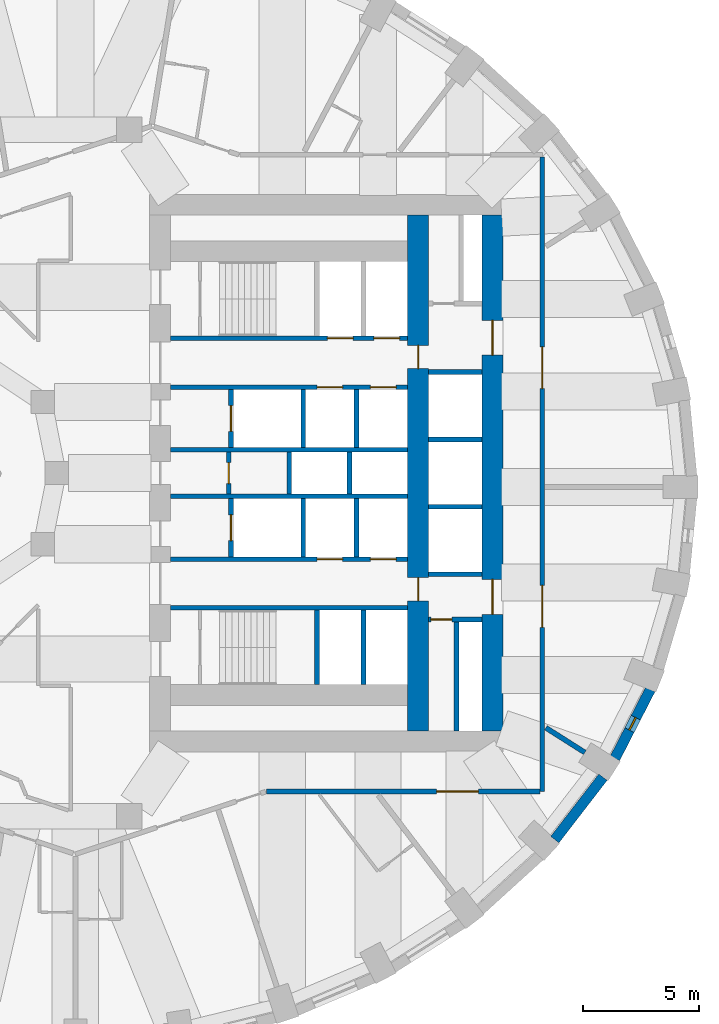
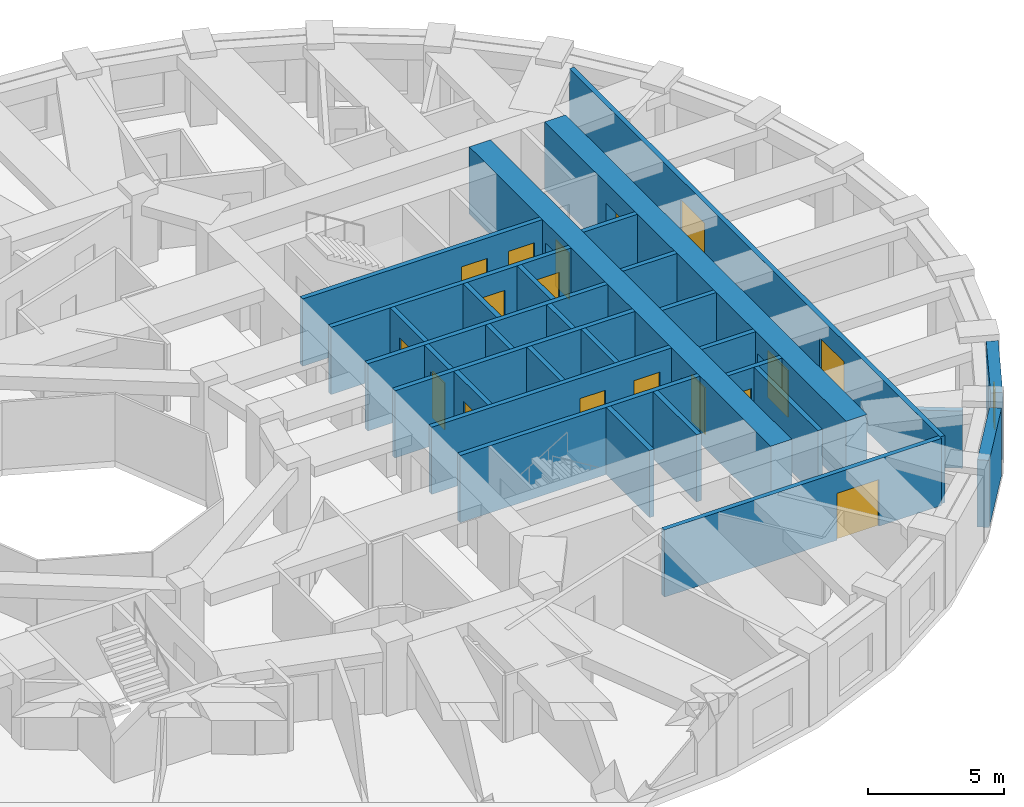
# One storey, part 6 of 12: 30 walls, 17 doors, 1 window, 18 openings.
"""IFC4 building model written with IfcOpenShell, lengths in metres."""

import ifcopenshell
import ifcopenshell.guid

model = None  # the IFC model being written
_history = None  # IfcOwnerHistory: only IFC2X3 demands one
_inside = {}  # id of a spatial element -> (the spatial element, [elements in it])
_under = {}  # id of a project, library or spatial element -> (it, [spatial elements below it])
_declared = {}  # id of a project -> (the project, [libraries it declares])
_typed = {}  # id of a type object -> (the type object, [elements of that type])
_made_of = {}  # id of a material, layer set ... -> (it, [elements and type objects made of it])


def new_model(schema):
    """Start an empty IFC model of exactly this schema.

    Asked for "IFC4X3", IfcOpenShell would pick the latest addendum, in which some entities
    have other attributes; the version numbers below select the first issue.
    IFC2X3 requires an IfcOwnerHistory on every rooted entity: one is made here for all.
    """
    global model, _history
    if schema == "IFC4X3":
        model = ifcopenshell.file(schema_version=(4, 3, 0, 0))
    else:
        model = ifcopenshell.file(schema=schema)
    _inside.clear()
    _under.clear()
    _declared.clear()
    _typed.clear()
    _made_of.clear()
    _history = None
    if model.schema == "IFC2X3":
        org = make("IfcOrganization", Name="unknown")
        user = make(
            "IfcPersonAndOrganization",
            ThePerson=make("IfcPerson", FamilyName="unknown"),
            TheOrganization=org,
        )
        app = make(
            "IfcApplication",
            ApplicationDeveloper=org,
            Version="unknown",
            ApplicationFullName="unknown",
            ApplicationIdentifier="unknown",
        )
        _history = make(
            "IfcOwnerHistory",
            OwningUser=user,
            OwningApplication=app,
            ChangeAction="ADDED",
            CreationDate=0,
        )
    return model


def make(cls, **values):
    """One entity of the class cls with the attributes given. An attribute that is None is left unset."""
    return model.create_entity(
        cls, **{name: value for name, value in values.items() if value is not None}
    )


def rooted(cls, **values):
    """An entity with a GlobalId (a new one), such as an element, a storey or a relation."""
    return make(cls, GlobalId=ifcopenshell.guid.new(), OwnerHistory=_history, **values)


def si_unit(unit_type, name, prefix=None):
    """IfcSIUnit, for example si_unit("LENGTHUNIT", "METRE", prefix="MILLI")."""
    return make("IfcSIUnit", UnitType=unit_type, Prefix=prefix, Name=name)


def assignment(units):
    """IfcUnitAssignment: the units of a project."""
    return None if units is None else make("IfcUnitAssignment", Units=units)


def point(xyz):
    """IfcCartesianPoint."""
    return None if xyz is None else make("IfcCartesianPoint", Coordinates=xyz)


def direction(xyz):
    """IfcDirection."""
    return None if xyz is None else make("IfcDirection", DirectionRatios=xyz)


def frame(location, z_axis=None, x_axis=None):
    """IfcAxis2Placement3D, a coordinate frame: its origin and axes. An axis left out is left unset."""
    return make(
        "IfcAxis2Placement3D",
        Location=point(location),
        Axis=direction(z_axis),
        RefDirection=direction(x_axis),
    )


def frame_2d(location, x_axis=None):
    """IfcAxis2Placement2D, a coordinate frame in the plane: its origin and x axis."""
    return make(
        "IfcAxis2Placement2D", Location=point(location), RefDirection=direction(x_axis)
    )


def origin():
    """The frame at (0, 0, 0) with its axes left unset."""
    return frame((0.0, 0.0, 0.0))


def place(relative_to, where):
    """IfcLocalPlacement: puts the frame where relative to a parent placement (None: the world)."""
    return make(
        "IfcLocalPlacement", PlacementRelTo=relative_to, RelativePlacement=where
    )


def context(
    kind, dimensions, precision=None, world=None, true_north=None, identifier=None
):
    """IfcGeometricRepresentationContext, for example the 3D "Model" context."""
    return make(
        "IfcGeometricRepresentationContext",
        ContextIdentifier=identifier,
        ContextType=kind,
        CoordinateSpaceDimension=dimensions,
        Precision=precision,
        WorldCoordinateSystem=world,
        TrueNorth=true_north,
    )


def subcontext(parent, identifier, kind, view, scale=None):
    """IfcGeometricRepresentationSubContext, for example "Body" below "Model"."""
    return make(
        "IfcGeometricRepresentationSubContext",
        ContextIdentifier=identifier,
        ContextType=kind,
        ParentContext=parent,
        TargetScale=scale,
        TargetView=view,
    )


def project(units=None, contexts=None):
    """IfcProject with its units and contexts."""
    return rooted(
        "IfcProject",
        Name="project",
        RepresentationContexts=contexts,
        UnitsInContext=assignment(units),
    )


def spatial(cls, under=None, at=None, **own):
    """A site, building, storey or space (cls), placed at a placement, below another one or the project."""
    s = rooted(cls, ObjectPlacement=at, **own)
    if under is not None:
        _under.setdefault(under.id(), (under, []))[1].append(s)
    return s


def profile(cls, at=None, kind="AREA", **sizes):
    """A parametric profile (cls). Its sizes go by their IFC names, for example OverallWidth=200.0."""
    return make(cls, ProfileType=kind, Position=at, **sizes)


def rectangle(**sizes):
    """IfcRectangleProfileDef."""
    return profile("IfcRectangleProfileDef", **sizes)


def extrude(swept, where, along, depth):
    """IfcExtrudedAreaSolid: the profile swept, set in the frame where, extruded along a direction by depth."""
    return make(
        "IfcExtrudedAreaSolid",
        SweptArea=swept,
        Position=where,
        ExtrudedDirection=direction(along),
        Depth=depth,
    )


def shape(context_of_items, identifier, shape_type, items):
    """IfcShapeRepresentation: the items that make up one representation, for example the "Body"."""
    return make(
        "IfcShapeRepresentation",
        ContextOfItems=context_of_items,
        RepresentationIdentifier=identifier,
        RepresentationType=shape_type,
        Items=items,
    )


def material(Name=None, Category=None):
    """IfcMaterial."""
    return make("IfcMaterial", Name=Name, Category=Category)


def layer(
    of_material, thickness, ventilated=None, Name=None, Category=None, Priority=None
):
    """IfcMaterialLayer: one layer of a wall or slab, of a material (None: an air gap)."""
    return make(
        "IfcMaterialLayer",
        Material=of_material,
        LayerThickness=thickness,
        IsVentilated=ventilated,
        Name=Name,
        Category=Category,
        Priority=Priority,
    )


def layer_set(layers, Name=None):
    """IfcMaterialLayerSet."""
    return make("IfcMaterialLayerSet", MaterialLayers=layers, LayerSetName=Name)


def made_of(thing, what):
    """Note that an element or type object is made of a material, layer set ...; save() writes the relation."""
    if what is not None:
        _made_of.setdefault(what.id(), (what, []))[1].append(thing)
    return thing


def type_object(cls, material=None, **own):
    """A type object (cls), such as IfcWallType, which elements share."""
    return made_of(rooted(cls, **own), material)


def element(
    cls,
    number,
    at=None,
    inside=None,
    cuts=None,
    type_object=None,
    material=None,
    context=None,
    identifier="Body",
    shape_type=None,
    held_by="IfcProductDefinitionShape",
    body=None,
    shapes=None,
    **own,
):
    """One element of the class cls, such as IfcWall. Its Tag is "e" and its number.

    at: its placement. inside: the storey or other place that contains it. cuts: it is an
    opening in that element (IfcRelVoidsElement). A single representation is given by context,
    identifier, shape_type and body (its items); several are given by shapes. held_by: the class
    of the entity that holds the representations. save() writes the other relations.
    """
    e = rooted(cls, Tag="e%d" % number, ObjectPlacement=at, **own)
    if body is not None:
        shapes = [shape(context, identifier, shape_type, body)]
    if shapes is not None:
        e.Representation = make(held_by, Representations=shapes)
    if inside is not None:
        _inside.setdefault(inside.id(), (inside, []))[1].append(e)
    if cuts is not None:
        rooted(
            "IfcRelVoidsElement", RelatingBuildingElement=cuts, RelatedOpeningElement=e
        )
    if type_object is not None:
        _typed.setdefault(type_object.id(), (type_object, []))[1].append(e)
    return made_of(e, material)


def fill(opening, filler):
    """IfcRelFillsElement: the door or window that sits in an opening."""
    return rooted(
        "IfcRelFillsElement",
        RelatingOpeningElement=opening,
        RelatedBuildingElement=filler,
    )


def aggregate(whole, parts):
    """IfcRelAggregates: a whole, such as a stair, and the parts it consists of."""
    return rooted("IfcRelAggregates", RelatingObject=whole, RelatedObjects=parts)


def save(model, path):
    """Write the relations noted so far, then the file.

    IfcRelAggregates (storeys below a building ...), IfcRelContainedInSpatialStructure (elements
    in a storey), IfcRelDefinesByType, IfcRelAssociatesMaterial and IfcRelDeclares: one each for
    every whole, place, type object, material and project.
    """
    for whole, parts in _under.values():
        aggregate(whole, parts)
    for where, things in _inside.values():
        rooted(
            "IfcRelContainedInSpatialStructure",
            RelatedElements=things,
            RelatingStructure=where,
        )
    for kind, things in _typed.values():
        rooted("IfcRelDefinesByType", RelatedObjects=things, RelatingType=kind)
    for what, things in _made_of.values():
        rooted("IfcRelAssociatesMaterial", RelatedObjects=things, RelatingMaterial=what)
    for by, libraries in _declared.values():
        rooted("IfcRelDeclares", RelatingContext=by, RelatedDefinitions=libraries)
    model.write(path)


model = new_model("IFC4")

# Units and contexts
model_context = context("Model", 3, precision=1e-05, world=origin(), true_north=direction((0.0, 1.0)))
body_context = subcontext(model_context, "Body", "Model", "MODEL_VIEW")
ifc_project = project(units=[si_unit("LENGTHUNIT", "METRE"), si_unit("AREAUNIT", "SQUARE_METRE"), si_unit("VOLUMEUNIT", "CUBIC_METRE"), si_unit("PLANEANGLEUNIT", "RADIAN"), si_unit("MASSUNIT", "GRAM", prefix="KILO")], contexts=[model_context])

# Site, building, storey
site_placement = place(None, origin())
site = spatial("IfcSite", under=ifc_project, at=site_placement, CompositionType="ELEMENT")
building_placement = place(site_placement, origin())
building = spatial("IfcBuilding", under=site, at=building_placement, Name="Taillehof Tower", CompositionType="ELEMENT")
storey_placement = place(building_placement, frame((0.0, 0.0, 121.89990234375)))
storey = spatial("IfcBuildingStorey", under=building, at=storey_placement, Name="L34", CompositionType="ELEMENT", Elevation=121.89990234375)

# Wall
ifc_material_1 = material(Name="Brick masonry", Category="masonry")
ifc_layer_1 = layer(ifc_material_1, 0.449951171875)
ifc_layer_set_1 = layer_set([ifc_layer_1], Name="Brick infill wall 450")
wall_type_1 = type_object("IfcWallType", Name="Brick infill wall 450", PredefinedType="SOLIDWALL", material=ifc_layer_set_1)
wall_1_placement = place(storey_placement, frame((21.43505859375, -15.775390625, 0.0), z_axis=(0.0, 0.0, 1.0), x_axis=(0.610693945156, 0.791866721961, 0.0)))
element("IfcWall", 1, at=wall_1_placement, inside=storey, type_object=wall_type_1, Name="Brick wall L34 bay 33", PredefinedType="SOLIDWALL", context=body_context, shape_type="SweptSolid", body=[
    extrude(rectangle(XDim=3.39453125, YDim=0.449951171875, at=frame_2d((1.697265625, 0.0))), origin(), (0.0, 0.0, 1.0), 3.02001953125),
])

# Wall, opening, window
wall_2_placement = place(storey_placement, frame((24.022705078125, -12.27685546875, 0.0), z_axis=(0.0, 0.0, 1.0), x_axis=(0.456828186229, 0.889554949549, 0.0)))
wall_2 = element("IfcWall", 2, at=wall_2_placement, inside=storey, type_object=wall_type_1, Name="Brick wall L34 bay 34", PredefinedType="SOLIDWALL", context=body_context, shape_type="SweptSolid", body=[
    extrude(rectangle(XDim=3.332763671875, YDim=0.449951171875, at=frame_2d((1.66650390625, 0.0))), origin(), (0.0, 0.0, 1.0), 3.02001953125),
])
opening_1_placement = place(wall_2_placement, frame((1.366455078125, 0.0, 0.39990234375)))
opening_1 = element("IfcOpeningElement", 3, at=opening_1_placement, cuts=wall_2, Name="Opening W6", PredefinedType="OPENING", context=body_context, shape_type="SweptSolid", body=[
    extrude(rectangle(XDim=0.60009765625, YDim=1.75, at=frame_2d((0.300048828125, 0.875))), frame((0.0, 0.23486328125, 0.0), z_axis=(0.0, -1.0, 0.0), x_axis=(1.0, 0.0, 0.0)), (0.0, 0.0, 1.0), 0.469970703125),
])
ifc_material_2 = material(Name="Aluminium window frame with clear double glazing", Category="aluminium")
window_type = type_object("IfcWindowType", Name="Slot window 600x1750", PartitioningType="SINGLE_PANEL", PredefinedType="WINDOW", material=ifc_material_2)
window_placement = place(opening_1_placement, origin())
window = element("IfcWindow", 4, at=window_placement, inside=storey, type_object=window_type, Name="W6", OverallHeight=1.75, OverallWidth=0.60009765625, PartitioningType="SINGLE_PANEL", PredefinedType="WINDOW", context=body_context, shape_type="SweptSolid", body=[
    extrude(rectangle(XDim=0.60009765625, YDim=1.75, at=frame_2d((0.300048828125, 0.875))), frame((0.0, 0.034912109375, 0.0), z_axis=(0.0, -1.0, 0.0), x_axis=(1.0, 0.0, 0.0)), (0.0, 0.0, 1.0), 0.06005859375),
])
fill(opening_1, window)

# Wall, opening, door
ifc_material_3 = material(Name="Calcium silicate masonry", Category="masonry")
ifc_layer_2 = layer(ifc_material_3, 0.199951171875)
ifc_layer_set_2 = layer_set([ifc_layer_2], Name="Compartment wall calcium silicate 200")
wall_type_2 = type_object("IfcWallType", Name="Compartment wall calcium silicate 200", PredefinedType="PARTITIONING", material=ifc_layer_set_2)
wall_3_placement = place(storey_placement, frame((7.39990234375, -0.89990234375, 0.0), z_axis=(0.0, 0.0, 1.0), x_axis=(0.0, 1.0, 0.0)))
wall_3 = element("IfcWall", 5, at=wall_3_placement, inside=storey, type_object=wall_type_2, Name="Compartment wall FW", PredefinedType="PARTITIONING", context=body_context, shape_type="SweptSolid", body=[
    extrude(rectangle(XDim=1.7998046875, YDim=0.199951171875, at=frame_2d((0.89990234375, 0.0))), origin(), (0.0, 0.0, 1.0), 3.02001953125),
])
opening_2_placement = place(wall_3_placement, frame((0.449951171875, 0.0, 0.0)))
opening_2 = element("IfcOpeningElement", 6, at=opening_2_placement, cuts=wall_3, Name="Opening D3414", PredefinedType="OPENING", context=body_context, shape_type="SweptSolid", body=[
    extrude(rectangle(XDim=0.89990234375, YDim=2.10009765625, at=frame_2d((0.449951171875, 1.050048828125))), frame((0.0, 0.10986328125, 0.0), z_axis=(0.0, -1.0, 0.0), x_axis=(1.0, 0.0, 0.0)), (0.0, 0.0, 1.0), 0.219970703125),
])
ifc_material_4 = material(Name="Steel-faced fire door", Category="steel")
door_type_1 = type_object("IfcDoorType", Name="Riser and service room door 900x2100", OperationType="SINGLE_SWING_LEFT", PredefinedType="DOOR", material=ifc_material_4)
door_1_placement = place(opening_2_placement, origin())
door_1 = element("IfcDoor", 7, at=door_1_placement, inside=storey, type_object=door_type_1, Name="Door Beverage Store", OperationType="SINGLE_SWING_RIGHT", OverallHeight=2.10009765625, OverallWidth=0.89990234375, PredefinedType="DOOR", context=body_context, shape_type="SweptSolid", body=[
    extrude(rectangle(XDim=0.89990234375, YDim=2.10009765625, at=frame_2d((0.449951171875, 1.050048828125))), frame((0.0, 0.02490234375, 0.0), z_axis=(0.0, -1.0, 0.0), x_axis=(1.0, 0.0, 0.0)), (0.0, 0.0, 1.0), 0.050048828125),
])
fill(opening_2, door_1)

# Walls
for number, where, z_axis, x_axis, name in (
    (8, (10.0, -0.89990234375, 0.0), (0.0, 0.0, 1.0), (0.0, 1.0, 0.0), "Compartment wall FW"),
    (9, (12.60009765625, -0.89990234375, 0.0), (0.0, 0.0, 1.0), (0.0, 1.0, 0.0), "Compartment wall FW"),
):
    element("IfcWall", number, at=place(storey_placement, frame(where, z_axis=z_axis, x_axis=x_axis)), inside=storey, type_object=wall_type_2, Name=name, PredefinedType="PARTITIONING", context=body_context, shape_type="SweptSolid", body=[
        extrude(rectangle(XDim=1.7998046875, YDim=0.199951171875, at=frame_2d((0.89990234375, 0.0))), origin(), (0.0, 0.0, 1.0), 3.02001953125),
    ])

# Wall, opening, door
wall_4_placement = place(storey_placement, frame((16.0, -6.300048828125, 0.0), z_axis=(0.0, 0.0, 1.0), x_axis=(1.0, 0.0, 0.0)))
wall_4 = element("IfcWall", 10, at=wall_4_placement, inside=storey, type_object=wall_type_2, Name="Compartment wall FW", PredefinedType="PARTITIONING", context=body_context, shape_type="SweptSolid", body=[
    extrude(rectangle(XDim=2.300048828125, YDim=0.199951171875, at=frame_2d((1.14990234375, 0.0))), origin(), (0.0, 0.0, 1.0), 3.02001953125),
])
opening_3_placement = place(wall_4_placement, frame((0.10009765625, 0.0, 0.0)))
opening_3 = element("IfcOpeningElement", 11, at=opening_3_placement, cuts=wall_4, Name="Opening D3418", PredefinedType="OPENING", context=body_context, shape_type="SweptSolid", body=[
    extrude(rectangle(XDim=0.89990234375, YDim=2.10009765625, at=frame_2d((0.449951171875, 1.050048828125))), frame((0.0, 0.10986328125, 0.0), z_axis=(0.0, -1.0, 0.0), x_axis=(1.0, 0.0, 0.0)), (0.0, 0.0, 1.0), 0.219970703125),
])
door_2_placement = place(opening_3_placement, origin())
door_2 = element("IfcDoor", 12, at=door_2_placement, inside=storey, type_object=door_type_1, Name="Door Pump Room", OperationType="SINGLE_SWING_LEFT", OverallHeight=2.10009765625, OverallWidth=0.89990234375, PredefinedType="DOOR", context=body_context, shape_type="SweptSolid", body=[
    extrude(rectangle(XDim=0.89990234375, YDim=2.10009765625, at=frame_2d((0.449951171875, 1.050048828125))), frame((0.0, 0.02490234375, 0.0), z_axis=(0.0, -1.0, 0.0), x_axis=(1.0, 0.0, 0.0)), (0.0, 0.0, 1.0), 0.050048828125),
])
fill(opening_3, door_2)

# Wall
wall_5_placement = place(storey_placement, frame((17.199951171875, -11.10009765625, 0.0), z_axis=(0.0, 0.0, 1.0), x_axis=(0.0, 1.0, 0.0)))
element("IfcWall", 13, at=wall_5_placement, inside=storey, type_object=wall_type_2, Name="Compartment wall FW", PredefinedType="PARTITIONING", context=body_context, shape_type="SweptSolid", body=[
    extrude(rectangle(XDim=4.7001953125, YDim=0.199951171875, at=frame_2d((2.35009765625, 0.0))), origin(), (0.0, 0.0, 1.0), 3.02001953125),
])

# Wall, openings, doors
ifc_material_5 = material(Name="Gypsum board on steel studs, two layers each side", Category="steel")
ifc_layer_3 = layer(ifc_material_5, 0.199951171875)
ifc_layer_set_3 = layer_set([ifc_layer_3], Name="Compartment wall corridor 200")
wall_type_3 = type_object("IfcWallType", Name="Compartment wall corridor 200", PredefinedType="PARTITIONING", material=ifc_layer_set_3)
wall_6_placement = place(storey_placement, frame((20.89990234375, 13.599853515625, 0.0), z_axis=(0.0, 0.0, 1.0), x_axis=(0.0, -1.0, 0.0)))
wall_6 = element("IfcWall", 14, at=wall_6_placement, inside=storey, type_object=wall_type_3, Name="Compartment wall", PredefinedType="PARTITIONING", context=body_context, shape_type="SweptSolid", body=[
    extrude(rectangle(XDim=27.2998046875, YDim=0.199951171875, at=frame_2d((13.64990234375, 0.0))), origin(), (0.0, 0.0, 1.0), 3.02001953125),
])
opening_4_placement = place(wall_6_placement, frame((18.433349609375, 0.0, 0.0)))
opening_4 = element("IfcOpeningElement", 15, at=opening_4_placement, cuts=wall_6, Name="Opening D3463", PredefinedType="OPENING", context=body_context, shape_type="SweptSolid", body=[
    extrude(rectangle(XDim=1.800048828125, YDim=2.10009765625, at=frame_2d((0.89990234375, 1.050048828125))), frame((0.0, 0.10986328125, 0.0), z_axis=(0.0, -1.0, 0.0), x_axis=(1.0, 0.0, 0.0)), (0.0, 0.0, 1.0), 0.219970703125),
])
opening_5_placement = place(wall_6_placement, frame((8.16650390625, 0.0, 0.0)))
opening_5 = element("IfcOpeningElement", 16, at=opening_5_placement, cuts=wall_6, Name="Opening D3464", PredefinedType="OPENING", context=body_context, shape_type="SweptSolid", body=[
    extrude(rectangle(XDim=1.800048828125, YDim=2.10009765625, at=frame_2d((0.89990234375, 1.050048828125))), frame((0.0, 0.10986328125, 0.0), z_axis=(0.0, -1.0, 0.0), x_axis=(1.0, 0.0, 0.0)), (0.0, 0.0, 1.0), 0.219970703125),
])
ifc_material_6 = material(Name="Timber door leaf in steel frame", Category="steel")
door_type_2 = type_object("IfcDoorType", Name="Lounge and meeting room double door EI 30 1800 x 2100", OperationType="SINGLE_SWING_LEFT", PredefinedType="DOOR", material=ifc_material_6)
door_3_placement = place(opening_4_placement, origin())
door_3 = element("IfcDoor", 17, at=door_3_placement, inside=storey, type_object=door_type_2, Name="D3463", OperationType="DOUBLE_DOOR_SINGLE_SWING", OverallHeight=2.10009765625, OverallWidth=1.800048828125, PredefinedType="DOOR", context=body_context, shape_type="SweptSolid", body=[
    extrude(rectangle(XDim=1.800048828125, YDim=2.10009765625, at=frame_2d((0.89990234375, 1.050048828125))), frame((0.0, 0.02490234375, 0.0), z_axis=(0.0, -1.0, 0.0), x_axis=(1.0, 0.0, 0.0)), (0.0, 0.0, 1.0), 0.050048828125),
])
fill(opening_4, door_3)
door_4_placement = place(opening_5_placement, origin())
door_4 = element("IfcDoor", 18, at=door_4_placement, inside=storey, type_object=door_type_2, Name="D3464", OperationType="DOUBLE_DOOR_SINGLE_SWING", OverallHeight=2.10009765625, OverallWidth=1.800048828125, PredefinedType="DOOR", context=body_context, shape_type="SweptSolid", body=[
    extrude(rectangle(XDim=1.800048828125, YDim=2.10009765625, at=frame_2d((0.89990234375, 1.050048828125))), frame((0.0, 0.02490234375, 0.0), z_axis=(0.0, -1.0, 0.0), x_axis=(1.0, 0.0, 0.0)), (0.0, 0.0, 1.0), 0.050048828125),
])
fill(opening_5, door_4)

# Wall, opening, door
wall_7_placement = place(storey_placement, frame((20.7998046875, -13.699951171875, 0.0), z_axis=(0.0, 0.0, 1.0), x_axis=(-1.0, 0.0, 0.0)))
wall_7 = element("IfcWall", 19, at=wall_7_placement, inside=storey, type_object=wall_type_3, Name="Compartment wall", PredefinedType="PARTITIONING", context=body_context, shape_type="SweptSolid", body=[
    extrude(rectangle(XDim=11.777587890625, YDim=0.199951171875, at=frame_2d((5.888671875, 0.0))), origin(), (0.0, 0.0, 1.0), 3.02001953125),
])
opening_6_placement = place(wall_7_placement, frame((2.650146484375, 0.0, 0.0)))
opening_6 = element("IfcOpeningElement", 20, at=opening_6_placement, cuts=wall_7, Name="Opening D3462", PredefinedType="OPENING", context=body_context, shape_type="SweptSolid", body=[
    extrude(rectangle(XDim=1.800048828125, YDim=2.10009765625, at=frame_2d((0.89990234375, 1.050048828125))), frame((0.0, 0.10986328125, 0.0), z_axis=(0.0, -1.0, 0.0), x_axis=(1.0, 0.0, 0.0)), (0.0, 0.0, 1.0), 0.219970703125),
])
door_5_placement = place(opening_6_placement, origin())
door_5 = element("IfcDoor", 21, at=door_5_placement, inside=storey, type_object=door_type_2, Name="D3462", OperationType="DOUBLE_DOOR_SINGLE_SWING", OverallHeight=2.10009765625, OverallWidth=1.800048828125, PredefinedType="DOOR", context=body_context, shape_type="SweptSolid", body=[
    extrude(rectangle(XDim=1.800048828125, YDim=2.10009765625, at=frame_2d((0.89990234375, 1.050048828125))), frame((0.0, 0.02490234375, 0.0), z_axis=(0.0, -1.0, 0.0), x_axis=(1.0, 0.0, 0.0)), (0.0, 0.0, 1.0), 0.050048828125),
])
fill(opening_6, door_5)

# Wall
ifc_material_7 = material(Name="Gypsum board on double steel studs with mineral wool", Category="steel")
ifc_layer_4 = layer(ifc_material_7, 0.219970703125)
ifc_layer_set_4 = layer_set([ifc_layer_4], Name="Compartment wall guest room 220")
wall_type_4 = type_object("IfcWallType", Name="Compartment wall guest room 220", PredefinedType="PARTITIONING", material=ifc_layer_set_4)
wall_8_placement = place(storey_placement, frame((22.7265625, -12.0234375, 0.0), z_axis=(0.0, 0.0, 1.0), x_axis=(-0.84453164716, 0.535505646044, 0.0)))
element("IfcWall", 22, at=wall_8_placement, inside=storey, type_object=wall_type_4, Name="Compartment wall", PredefinedType="PARTITIONING", context=body_context, shape_type="SweptSolid", body=[
    extrude(rectangle(XDim=1.984619140625, YDim=0.219970703125, at=frame_2d((0.9921875, 0.0))), origin(), (0.0, 0.0, 1.0), 2.570068359375),
])

# Wall, openings, doors
ifc_material_8 = material(Name="Concrete C80/95", Category="concrete")
ifc_layer_5 = layer(ifc_material_8, 0.89990234375)
ifc_layer_set_5 = layer_set([ifc_layer_5], Name="Core wall C80/95 900")
wall_type_5 = type_object("IfcWallType", Name="Core wall C80/95 900", PredefinedType="SHEAR", material=ifc_layer_set_5)
wall_9_placement = place(storey_placement, frame((18.75, -11.10009765625, 0.0), z_axis=(0.0, 0.0, 1.0), x_axis=(0.0, 1.0, 0.0)))
wall_9 = element("IfcWall", 23, at=wall_9_placement, inside=storey, type_object=wall_type_5, Name="Core wall CW02", PredefinedType="SHEAR", context=body_context, shape_type="SweptSolid", body=[
    extrude(rectangle(XDim=22.2001953125, YDim=0.89990234375, at=frame_2d((11.10009765625, 0.0))), origin(), (0.0, 0.0, 1.0), 3.02001953125),
])
opening_7_placement = place(wall_9_placement, frame((16.175048828125, 0.0, 0.0)))
opening_7 = element("IfcOpeningElement", 24, at=opening_7_placement, cuts=wall_9, Name="Opening D3408", PredefinedType="OPENING", context=body_context, shape_type="SweptSolid", body=[
    extrude(rectangle(XDim=1.5, YDim=2.10009765625, at=frame_2d((0.75, 1.050048828125))), frame((0.0, 0.4599609375, 0.0), z_axis=(0.0, -1.0, 0.0), x_axis=(1.0, 0.0, 0.0)), (0.0, 0.0, 1.0), 0.919921875),
])
opening_8_placement = place(wall_9_placement, frame((5.02490234375, 0.0, 0.0)))
opening_8 = element("IfcOpeningElement", 25, at=opening_8_placement, cuts=wall_9, Name="Opening D3409", PredefinedType="OPENING", context=body_context, shape_type="SweptSolid", body=[
    extrude(rectangle(XDim=1.5, YDim=2.10009765625, at=frame_2d((0.75, 1.050048828125))), frame((0.0, 0.4599609375, 0.0), z_axis=(0.0, -1.0, 0.0), x_axis=(1.0, 0.0, 0.0)), (0.0, 0.0, 1.0), 0.919921875),
])
ifc_material_9 = material(Name="Steel-faced fire door", Category="steel")
door_type_3 = type_object("IfcDoorType", Name="Lift lobby east door 1500x2100", OperationType="DOUBLE_DOOR_SINGLE_SWING", PredefinedType="DOOR", material=ifc_material_9)
door_6_placement = place(opening_7_placement, origin())
door_6 = element("IfcDoor", 26, at=door_6_placement, inside=storey, type_object=door_type_3, Name="Lift lobby east door north", OperationType="DOUBLE_DOOR_SINGLE_SWING", OverallHeight=2.10009765625, OverallWidth=1.5, PredefinedType="DOOR", context=body_context, shape_type="SweptSolid", body=[
    extrude(rectangle(XDim=1.5, YDim=2.10009765625, at=frame_2d((0.75, 1.050048828125))), frame((0.0, 0.02490234375, 0.0), z_axis=(0.0, -1.0, 0.0), x_axis=(1.0, 0.0, 0.0)), (0.0, 0.0, 1.0), 0.050048828125),
])
fill(opening_7, door_6)
door_7_placement = place(opening_8_placement, origin())
door_7 = element("IfcDoor", 27, at=door_7_placement, inside=storey, type_object=door_type_3, Name="Lift lobby east door south", OperationType="DOUBLE_DOOR_SINGLE_SWING", OverallHeight=2.10009765625, OverallWidth=1.5, PredefinedType="DOOR", context=body_context, shape_type="SweptSolid", body=[
    extrude(rectangle(XDim=1.5, YDim=2.10009765625, at=frame_2d((0.75, 1.050048828125))), frame((0.0, 0.02490234375, 0.0), z_axis=(0.0, -1.0, 0.0), x_axis=(1.0, 0.0, 0.0)), (0.0, 0.0, 1.0), 0.050048828125),
])
fill(opening_8, door_7)

wall_10_placement = place(storey_placement, frame((15.550048828125, -11.10009765625, 0.0), z_axis=(0.0, 0.0, 1.0), x_axis=(0.0, 1.0, 0.0)))
wall_10 = element("IfcWall", 28, at=wall_10_placement, inside=storey, type_object=wall_type_5, Name="Core wall CW05", PredefinedType="SHEAR", context=body_context, shape_type="SweptSolid", body=[
    extrude(rectangle(XDim=22.2001953125, YDim=0.89990234375, at=frame_2d((11.10009765625, 0.0))), origin(), (0.0, 0.0, 1.0), 3.02001953125),
])
opening_9_placement = place(wall_10_placement, frame((15.60009765625, 0.0, 0.0)))
opening_9 = element("IfcOpeningElement", 29, at=opening_9_placement, cuts=wall_10, Name="Opening D3415", PredefinedType="OPENING", context=body_context, shape_type="SweptSolid", body=[
    extrude(rectangle(XDim=1.0, YDim=2.10009765625, at=frame_2d((0.5, 1.050048828125))), frame((0.0, 0.4599609375, 0.0), z_axis=(0.0, -1.0, 0.0), x_axis=(1.0, 0.0, 0.0)), (0.0, 0.0, 1.0), 0.919921875),
])
opening_10_placement = place(wall_10_placement, frame((5.60009765625, 0.0, 0.0)))
opening_10 = element("IfcOpeningElement", 30, at=opening_10_placement, cuts=wall_10, Name="Opening D3417", PredefinedType="OPENING", context=body_context, shape_type="SweptSolid", body=[
    extrude(rectangle(XDim=1.0, YDim=2.10009765625, at=frame_2d((0.5, 1.050048828125))), frame((0.0, 0.4599609375, 0.0), z_axis=(0.0, -1.0, 0.0), x_axis=(1.0, 0.0, 0.0)), (0.0, 0.0, 1.0), 0.919921875),
])
ifc_material_10 = material(Name="Steel-faced fire door", Category="steel")
door_type_4 = type_object("IfcDoorType", Name="Service door 1000x2100", OperationType="SINGLE_SWING_RIGHT", PredefinedType="DOOR", material=ifc_material_10)
door_8_placement = place(opening_9_placement, origin())
door_8 = element("IfcDoor", 31, at=door_8_placement, inside=storey, type_object=door_type_4, Name="Service door strip", OperationType="SINGLE_SWING_RIGHT", OverallHeight=2.10009765625, OverallWidth=1.0, PredefinedType="DOOR", context=body_context, shape_type="SweptSolid", body=[
    extrude(rectangle(XDim=1.0, YDim=2.10009765625, at=frame_2d((0.5, 1.050048828125))), frame((0.0, 0.02490234375, 0.0), z_axis=(0.0, -1.0, 0.0), x_axis=(1.0, 0.0, 0.0)), (0.0, 0.0, 1.0), 0.050048828125),
])
fill(opening_9, door_8)
door_9_placement = place(opening_10_placement, origin())
door_9 = element("IfcDoor", 32, at=door_9_placement, inside=storey, type_object=door_type_4, Name="Service door strip", OperationType="SINGLE_SWING_LEFT", OverallHeight=2.10009765625, OverallWidth=1.0, PredefinedType="DOOR", context=body_context, shape_type="SweptSolid", body=[
    extrude(rectangle(XDim=1.0, YDim=2.10009765625, at=frame_2d((0.5, 1.050048828125))), frame((0.0, 0.02490234375, 0.0), z_axis=(0.0, -1.0, 0.0), x_axis=(1.0, 0.0, 0.0)), (0.0, 0.0, 1.0), 0.050048828125),
])
fill(opening_10, door_9)

ifc_material_11 = material(Name="Concrete C50/60", Category="concrete")
ifc_layer_6 = layer(ifc_material_11, 0.199951171875)
ifc_layer_set_6 = layer_set([ifc_layer_6], Name="Shaft wall C50/60 200")
wall_type_6 = type_object("IfcWallType", Name="Shaft wall C50/60 200", PredefinedType="SHEAR", material=ifc_layer_set_6)
wall_11_placement = place(storey_placement, frame((4.89990234375, 5.800048828125, 0.0), z_axis=(0.0, 0.0, 1.0), x_axis=(1.0, 0.0, 0.0)))
wall_11 = element("IfcWall", 33, at=wall_11_placement, inside=storey, type_object=wall_type_6, Name="Shaft wall SW", PredefinedType="SHEAR", context=body_context, shape_type="SweptSolid", body=[
    extrude(rectangle(XDim=10.2001953125, YDim=0.199951171875, at=frame_2d((5.10009765625, 0.0))), origin(), (0.0, 0.0, 1.0), 3.02001953125),
])
opening_11_placement = place(wall_11_placement, frame((6.75, 0.0, 0.0)))
opening_11 = element("IfcOpeningElement", 34, at=opening_11_placement, cuts=wall_11, Name="Opening LD1", PredefinedType="OPENING", context=body_context, shape_type="SweptSolid", body=[
    extrude(rectangle(XDim=1.10009765625, YDim=2.10009765625, at=frame_2d((0.550048828125, 1.050048828125))), frame((0.0, 0.10986328125, 0.0), z_axis=(0.0, -1.0, 0.0), x_axis=(1.0, 0.0, 0.0)), (0.0, 0.0, 1.0), 0.219970703125),
])
opening_12_placement = place(wall_11_placement, frame((8.75, 0.0, 0.0)))
opening_12 = element("IfcOpeningElement", 35, at=opening_12_placement, cuts=wall_11, Name="Opening LD1", PredefinedType="OPENING", context=body_context, shape_type="SweptSolid", body=[
    extrude(rectangle(XDim=1.10009765625, YDim=2.10009765625, at=frame_2d((0.550048828125, 1.050048828125))), frame((0.0, 0.10986328125, 0.0), z_axis=(0.0, -1.0, 0.0), x_axis=(1.0, 0.0, 0.0)), (0.0, 0.0, 1.0), 0.219970703125),
])
ifc_material_12 = material(Name="Stainless steel", Category="steel")
door_type_5 = type_object("IfcDoorType", Name="Lift landing door LD1 1100x2100", OperationType="DOUBLE_DOOR_SLIDING", PredefinedType="DOOR", material=ifc_material_12)
door_10_placement = place(opening_11_placement, origin())
door_10 = element("IfcDoor", 36, at=door_10_placement, inside=storey, type_object=door_type_5, Name="Landing door LR1", OperationType="DOUBLE_DOOR_SLIDING", OverallHeight=2.10009765625, OverallWidth=1.10009765625, PredefinedType="DOOR", context=body_context, shape_type="SweptSolid", body=[
    extrude(rectangle(XDim=1.10009765625, YDim=2.10009765625, at=frame_2d((0.550048828125, 1.050048828125))), frame((0.0, 0.02490234375, 0.0), z_axis=(0.0, -1.0, 0.0), x_axis=(1.0, 0.0, 0.0)), (0.0, 0.0, 1.0), 0.050048828125),
])
fill(opening_11, door_10)
door_11_placement = place(opening_12_placement, origin())
door_11 = element("IfcDoor", 37, at=door_11_placement, inside=storey, type_object=door_type_5, Name="Landing door LR2", OperationType="DOUBLE_DOOR_SLIDING", OverallHeight=2.10009765625, OverallWidth=1.10009765625, PredefinedType="DOOR", context=body_context, shape_type="SweptSolid", body=[
    extrude(rectangle(XDim=1.10009765625, YDim=2.10009765625, at=frame_2d((0.550048828125, 1.050048828125))), frame((0.0, 0.02490234375, 0.0), z_axis=(0.0, -1.0, 0.0), x_axis=(1.0, 0.0, 0.0)), (0.0, 0.0, 1.0), 0.050048828125),
])
fill(opening_12, door_11)

wall_12_placement = place(storey_placement, frame((4.89990234375, 3.699951171875, 0.0), z_axis=(0.0, 0.0, 1.0), x_axis=(1.0, 0.0, 0.0)))
wall_12 = element("IfcWall", 38, at=wall_12_placement, inside=storey, type_object=wall_type_6, Name="Shaft wall SW", PredefinedType="SHEAR", context=body_context, shape_type="SweptSolid", body=[
    extrude(rectangle(XDim=10.2001953125, YDim=0.199951171875, at=frame_2d((5.10009765625, 0.0))), origin(), (0.0, 0.0, 1.0), 3.02001953125),
])
opening_13_placement = place(wall_12_placement, frame((6.300048828125, 0.0, 0.0)))
opening_13 = element("IfcOpeningElement", 39, at=opening_13_placement, cuts=wall_12, Name="Opening LD1", PredefinedType="OPENING", context=body_context, shape_type="SweptSolid", body=[
    extrude(rectangle(XDim=1.10009765625, YDim=2.10009765625, at=frame_2d((0.550048828125, 1.050048828125))), frame((0.0, 0.10986328125, 0.0), z_axis=(0.0, -1.0, 0.0), x_axis=(1.0, 0.0, 0.0)), (0.0, 0.0, 1.0), 0.219970703125),
])
opening_14_placement = place(wall_12_placement, frame((8.60009765625, 0.0, 0.0)))
opening_14 = element("IfcOpeningElement", 40, at=opening_14_placement, cuts=wall_12, Name="Opening LD1", PredefinedType="OPENING", context=body_context, shape_type="SweptSolid", body=[
    extrude(rectangle(XDim=1.10009765625, YDim=2.10009765625, at=frame_2d((0.550048828125, 1.050048828125))), frame((0.0, 0.10986328125, 0.0), z_axis=(0.0, -1.0, 0.0), x_axis=(1.0, 0.0, 0.0)), (0.0, 0.0, 1.0), 0.219970703125),
])
door_12_placement = place(opening_13_placement, origin())
door_12 = element("IfcDoor", 41, at=door_12_placement, inside=storey, type_object=door_type_5, Name="Landing door LR3", OperationType="DOUBLE_DOOR_SLIDING", OverallHeight=2.10009765625, OverallWidth=1.10009765625, PredefinedType="DOOR", context=body_context, shape_type="SweptSolid", body=[
    extrude(rectangle(XDim=1.10009765625, YDim=2.10009765625, at=frame_2d((0.550048828125, 1.050048828125))), frame((0.0, 0.02490234375, 0.0), z_axis=(0.0, -1.0, 0.0), x_axis=(1.0, 0.0, 0.0)), (0.0, 0.0, 1.0), 0.050048828125),
])
fill(opening_13, door_12)
door_13_placement = place(opening_14_placement, origin())
door_13 = element("IfcDoor", 42, at=door_13_placement, inside=storey, type_object=door_type_5, Name="Landing door LR4", OperationType="DOUBLE_DOOR_SLIDING", OverallHeight=2.10009765625, OverallWidth=1.10009765625, PredefinedType="DOOR", context=body_context, shape_type="SweptSolid", body=[
    extrude(rectangle(XDim=1.10009765625, YDim=2.10009765625, at=frame_2d((0.550048828125, 1.050048828125))), frame((0.0, 0.02490234375, 0.0), z_axis=(0.0, -1.0, 0.0), x_axis=(1.0, 0.0, 0.0)), (0.0, 0.0, 1.0), 0.050048828125),
])
fill(opening_14, door_13)

# Walls
for number, where, z_axis, x_axis, name in (
    (43, (4.89990234375, 1.0, 0.0), (0.0, 0.0, 1.0), (1.0, 0.0, 0.0), "Shaft wall SW"),
    (44, (4.89990234375, -1.0, 0.0), (0.0, 0.0, 1.0), (1.0, 0.0, 0.0), "Shaft wall SW"),
):
    element("IfcWall", number, at=place(storey_placement, frame(where, z_axis=z_axis, x_axis=x_axis)), inside=storey, type_object=wall_type_6, Name=name, PredefinedType="SHEAR", context=body_context, shape_type="SweptSolid", body=[
        extrude(rectangle(XDim=10.2001953125, YDim=0.199951171875, at=frame_2d((5.10009765625, 0.0))), origin(), (0.0, 0.0, 1.0), 3.02001953125),
    ])

# Wall, openings, doors
wall_13_placement = place(storey_placement, frame((4.89990234375, -3.699951171875, 0.0), z_axis=(0.0, 0.0, 1.0), x_axis=(1.0, 0.0, 0.0)))
wall_13 = element("IfcWall", 45, at=wall_13_placement, inside=storey, type_object=wall_type_6, Name="Shaft wall SW", PredefinedType="SHEAR", context=body_context, shape_type="SweptSolid", body=[
    extrude(rectangle(XDim=10.2001953125, YDim=0.199951171875, at=frame_2d((5.10009765625, 0.0))), origin(), (0.0, 0.0, 1.0), 3.02001953125),
])
opening_15_placement = place(wall_13_placement, frame((6.300048828125, 0.0, 0.0)))
opening_15 = element("IfcOpeningElement", 46, at=opening_15_placement, cuts=wall_13, Name="Opening LD1", PredefinedType="OPENING", context=body_context, shape_type="SweptSolid", body=[
    extrude(rectangle(XDim=1.10009765625, YDim=2.10009765625, at=frame_2d((0.550048828125, 1.050048828125))), frame((0.0, 0.10986328125, 0.0), z_axis=(0.0, -1.0, 0.0), x_axis=(1.0, 0.0, 0.0)), (0.0, 0.0, 1.0), 0.219970703125),
])
opening_16_placement = place(wall_13_placement, frame((8.60009765625, 0.0, 0.0)))
opening_16 = element("IfcOpeningElement", 47, at=opening_16_placement, cuts=wall_13, Name="Opening LD1", PredefinedType="OPENING", context=body_context, shape_type="SweptSolid", body=[
    extrude(rectangle(XDim=1.10009765625, YDim=2.10009765625, at=frame_2d((0.550048828125, 1.050048828125))), frame((0.0, 0.10986328125, 0.0), z_axis=(0.0, -1.0, 0.0), x_axis=(1.0, 0.0, 0.0)), (0.0, 0.0, 1.0), 0.219970703125),
])
door_14_placement = place(opening_15_placement, origin())
door_14 = element("IfcDoor", 48, at=door_14_placement, inside=storey, type_object=door_type_5, Name="Landing door LR5", OperationType="DOUBLE_DOOR_SLIDING", OverallHeight=2.10009765625, OverallWidth=1.10009765625, PredefinedType="DOOR", context=body_context, shape_type="SweptSolid", body=[
    extrude(rectangle(XDim=1.10009765625, YDim=2.10009765625, at=frame_2d((0.550048828125, 1.050048828125))), frame((0.0, 0.02490234375, 0.0), z_axis=(0.0, -1.0, 0.0), x_axis=(1.0, 0.0, 0.0)), (0.0, 0.0, 1.0), 0.050048828125),
])
fill(opening_15, door_14)
door_15_placement = place(opening_16_placement, origin())
door_15 = element("IfcDoor", 49, at=door_15_placement, inside=storey, type_object=door_type_5, Name="Landing door LR6", OperationType="DOUBLE_DOOR_SLIDING", OverallHeight=2.10009765625, OverallWidth=1.10009765625, PredefinedType="DOOR", context=body_context, shape_type="SweptSolid", body=[
    extrude(rectangle(XDim=1.10009765625, YDim=2.10009765625, at=frame_2d((0.550048828125, 1.050048828125))), frame((0.0, 0.02490234375, 0.0), z_axis=(0.0, -1.0, 0.0), x_axis=(1.0, 0.0, 0.0)), (0.0, 0.0, 1.0), 0.050048828125),
])
fill(opening_16, door_15)

# Walls
wall_14_placement = place(storey_placement, frame((4.89990234375, -5.800048828125, 0.0), z_axis=(0.0, 0.0, 1.0), x_axis=(1.0, 0.0, 0.0)))
element("IfcWall", 50, at=wall_14_placement, inside=storey, type_object=wall_type_6, Name="Shaft wall SW", PredefinedType="SHEAR", context=body_context, shape_type="SweptSolid", body=[
    extrude(rectangle(XDim=10.2001953125, YDim=0.199951171875, at=frame_2d((5.10009765625, 0.0))), origin(), (0.0, 0.0, 1.0), 3.02001953125),
])
for number, where, z_axis, x_axis, name in (
    (51, (11.199951171875, -9.10009765625, 0.0), (0.0, 0.0, 1.0), (0.0, 1.0, 0.0), "Shaft wall SW"),
    (52, (13.199951171875, -9.10009765625, 0.0), (0.0, 0.0, 1.0), (0.0, 1.0, 0.0), "Shaft wall SW"),
):
    element("IfcWall", number, at=place(storey_placement, frame(where, z_axis=z_axis, x_axis=x_axis)), inside=storey, type_object=wall_type_6, Name=name, PredefinedType="SHEAR", context=body_context, shape_type="SweptSolid", body=[
        extrude(rectangle(XDim=3.2001953125, YDim=0.199951171875, at=frame_2d((1.60009765625, 0.0))), origin(), (0.0, 0.0, 1.0), 3.02001953125),
    ])

# Wall, opening, door
wall_15_placement = place(storey_placement, frame((7.5, 1.10009765625, 0.0), z_axis=(0.0, 0.0, 1.0), x_axis=(0.0, 1.0, 0.0)))
wall_15 = element("IfcWall", 53, at=wall_15_placement, inside=storey, type_object=wall_type_6, Name="Shaft wall SW", PredefinedType="SHEAR", context=body_context, shape_type="SweptSolid", body=[
    extrude(rectangle(XDim=2.5, YDim=0.199951171875, at=frame_2d((1.25, 0.0))), origin(), (0.0, 0.0, 1.0), 3.02001953125),
])
opening_17_placement = place(wall_15_placement, frame((0.699951171875, 0.0, 0.0)))
opening_17 = element("IfcOpeningElement", 54, at=opening_17_placement, cuts=wall_15, Name="Opening LD1", PredefinedType="OPENING", context=body_context, shape_type="SweptSolid", body=[
    extrude(rectangle(XDim=1.10009765625, YDim=2.10009765625, at=frame_2d((0.550048828125, 1.050048828125))), frame((0.0, 0.10986328125, 0.0), z_axis=(0.0, -1.0, 0.0), x_axis=(1.0, 0.0, 0.0)), (0.0, 0.0, 1.0), 0.219970703125),
])
door_16_placement = place(opening_17_placement, origin())
door_16 = element("IfcDoor", 55, at=door_16_placement, inside=storey, type_object=door_type_5, Name="Landing door FF1", OperationType="DOUBLE_DOOR_SLIDING", OverallHeight=2.10009765625, OverallWidth=1.10009765625, PredefinedType="DOOR", context=body_context, shape_type="SweptSolid", body=[
    extrude(rectangle(XDim=1.10009765625, YDim=2.10009765625, at=frame_2d((0.550048828125, 1.050048828125))), frame((0.0, 0.02490234375, 0.0), z_axis=(0.0, -1.0, 0.0), x_axis=(1.0, 0.0, 0.0)), (0.0, 0.0, 1.0), 0.050048828125),
])
fill(opening_17, door_16)

wall_16_placement = place(storey_placement, frame((7.5, -3.60009765625, 0.0), z_axis=(0.0, 0.0, 1.0), x_axis=(0.0, 1.0, 0.0)))
wall_16 = element("IfcWall", 56, at=wall_16_placement, inside=storey, type_object=wall_type_6, Name="Shaft wall SW", PredefinedType="SHEAR", context=body_context, shape_type="SweptSolid", body=[
    extrude(rectangle(XDim=2.5, YDim=0.199951171875, at=frame_2d((1.25, 0.0))), origin(), (0.0, 0.0, 1.0), 3.02001953125),
])
opening_18_placement = place(wall_16_placement, frame((0.699951171875, 0.0, 0.0)))
opening_18 = element("IfcOpeningElement", 57, at=opening_18_placement, cuts=wall_16, Name="Opening LD1", PredefinedType="OPENING", context=body_context, shape_type="SweptSolid", body=[
    extrude(rectangle(XDim=1.10009765625, YDim=2.10009765625, at=frame_2d((0.550048828125, 1.050048828125))), frame((0.0, 0.10986328125, 0.0), z_axis=(0.0, -1.0, 0.0), x_axis=(1.0, 0.0, 0.0)), (0.0, 0.0, 1.0), 0.219970703125),
])
door_17_placement = place(opening_18_placement, origin())
door_17 = element("IfcDoor", 58, at=door_17_placement, inside=storey, type_object=door_type_5, Name="Landing door FF2", OperationType="DOUBLE_DOOR_SLIDING", OverallHeight=2.10009765625, OverallWidth=1.10009765625, PredefinedType="DOOR", context=body_context, shape_type="SweptSolid", body=[
    extrude(rectangle(XDim=1.10009765625, YDim=2.10009765625, at=frame_2d((0.550048828125, 1.050048828125))), frame((0.0, 0.02490234375, 0.0), z_axis=(0.0, -1.0, 0.0), x_axis=(1.0, 0.0, 0.0)), (0.0, 0.0, 1.0), 0.050048828125),
])
fill(opening_18, door_17)

# Walls
for number, where, z_axis, x_axis, name in (
    (59, (10.60009765625, 1.10009765625, 0.0), (0.0, 0.0, 1.0), (0.0, 1.0, 0.0), "Shaft wall SW"),
    (60, (10.60009765625, -3.60009765625, 0.0), (0.0, 0.0, 1.0), (0.0, 1.0, 0.0), "Shaft wall SW"),
    (61, (12.89990234375, 1.10009765625, 0.0), (0.0, 0.0, 1.0), (0.0, 1.0, 0.0), "Shaft wall SW"),
    (62, (12.89990234375, -3.60009765625, 0.0), (0.0, 0.0, 1.0), (0.0, 1.0, 0.0), "Shaft wall SW"),
):
    element("IfcWall", number, at=place(storey_placement, frame(where, z_axis=z_axis, x_axis=x_axis)), inside=storey, type_object=wall_type_6, Name=name, PredefinedType="SHEAR", context=body_context, shape_type="SweptSolid", body=[
        extrude(rectangle(XDim=2.5, YDim=0.199951171875, at=frame_2d((1.25, 0.0))), origin(), (0.0, 0.0, 1.0), 3.02001953125),
    ])
for number, where, z_axis, x_axis, name in (
    (63, (16.0, -4.35009765625, 0.0), (0.0, 0.0, 1.0), (1.0, 0.0, 0.0), "Shaft wall SW"),
    (64, (16.0, -1.449951171875, 0.0), (0.0, 0.0, 1.0), (1.0, 0.0, 0.0), "Shaft wall SW"),
    (65, (16.0, 1.449951171875, 0.0), (0.0, 0.0, 1.0), (1.0, 0.0, 0.0), "Shaft wall SW"),
    (66, (16.0, 4.35009765625, 0.0), (0.0, 0.0, 1.0), (1.0, 0.0, 0.0), "Shaft wall SW"),
):
    element("IfcWall", number, at=place(storey_placement, frame(where, z_axis=z_axis, x_axis=x_axis)), inside=storey, type_object=wall_type_6, Name=name, PredefinedType="SHEAR", context=body_context, shape_type="SweptSolid", body=[
        extrude(rectangle(XDim=2.300048828125, YDim=0.199951171875, at=frame_2d((1.14990234375, 0.0))), origin(), (0.0, 0.0, 1.0), 3.02001953125),
    ])

save(model, "model.ifc")
